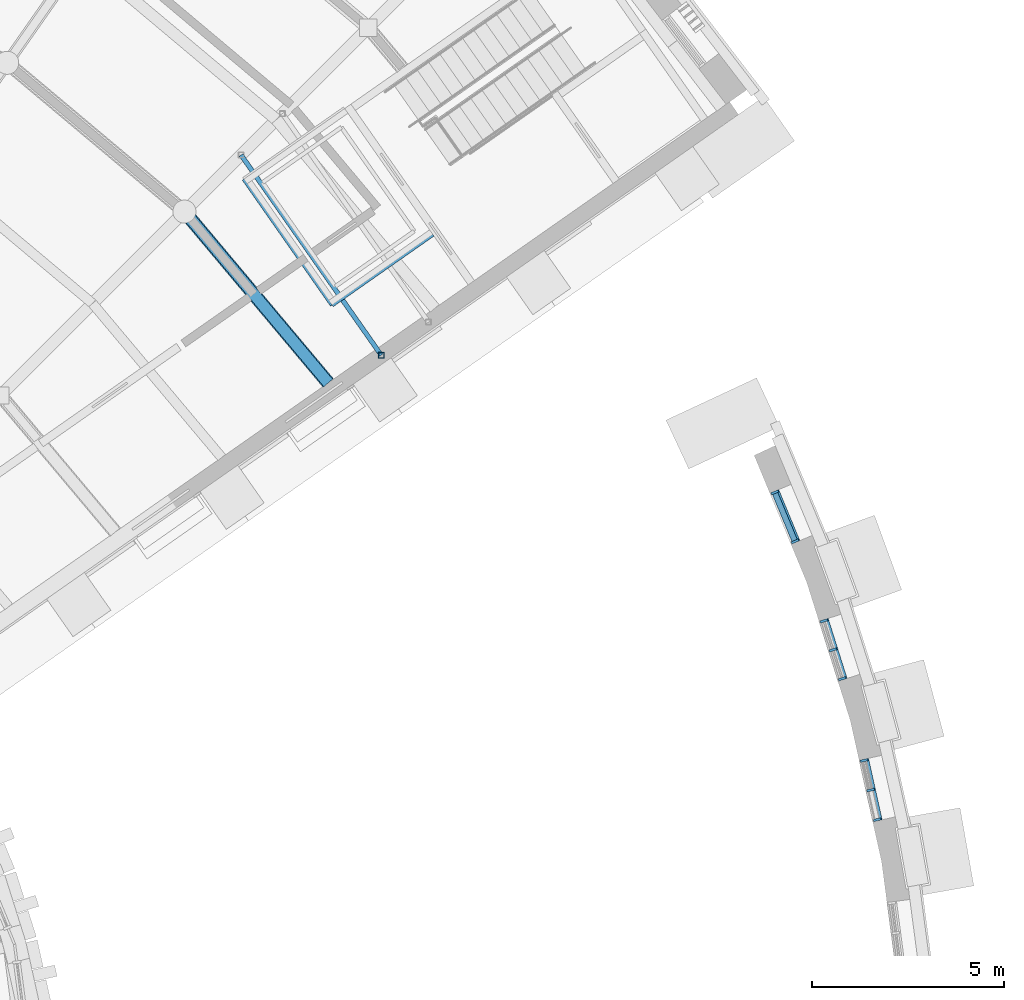
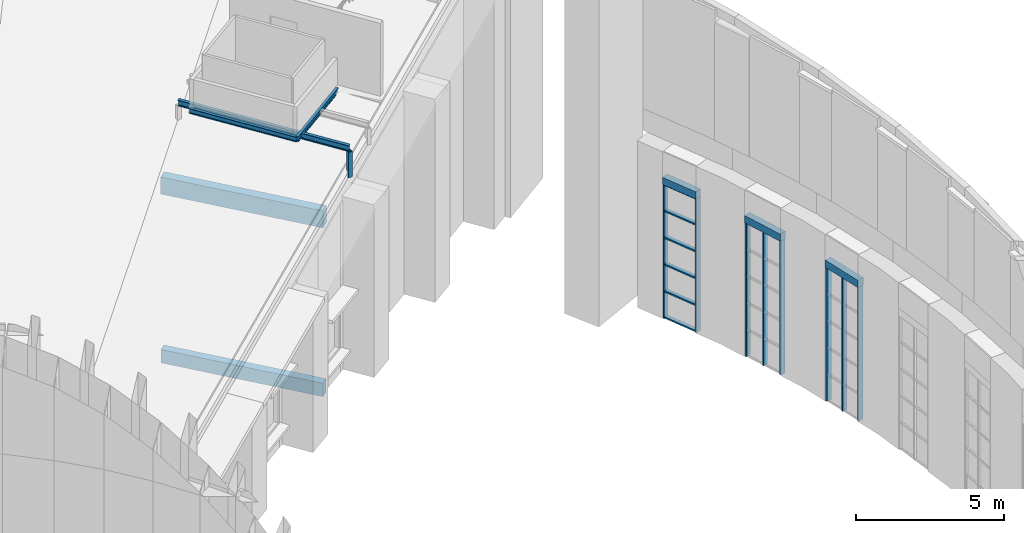
# One storey, part 21 of 82: 15 members, 8 beams, 3 elements without a shape of their own.
"""IFC4 building model written with IfcOpenShell, lengths in metres."""

import ifcopenshell
import ifcopenshell.guid

model = None  # the IFC model being written
_history = None  # IfcOwnerHistory: only IFC2X3 demands one
_inside = {}  # id of a spatial element -> (the spatial element, [elements in it])
_under = {}  # id of a project, library or spatial element -> (it, [spatial elements below it])
_declared = {}  # id of a project -> (the project, [libraries it declares])
_typed = {}  # id of a type object -> (the type object, [elements of that type])
_made_of = {}  # id of a material, layer set ... -> (it, [elements and type objects made of it])


def new_model(schema):
    """Start an empty IFC model of exactly this schema.

    Asked for "IFC4X3", IfcOpenShell would pick the latest addendum, in which some entities
    have other attributes; the version numbers below select the first issue.
    IFC2X3 requires an IfcOwnerHistory on every rooted entity: one is made here for all.
    """
    global model, _history
    if schema == "IFC4X3":
        model = ifcopenshell.file(schema_version=(4, 3, 0, 0))
    else:
        model = ifcopenshell.file(schema=schema)
    _inside.clear()
    _under.clear()
    _declared.clear()
    _typed.clear()
    _made_of.clear()
    _history = None
    if model.schema == "IFC2X3":
        org = make("IfcOrganization", Name="unknown")
        user = make(
            "IfcPersonAndOrganization",
            ThePerson=make("IfcPerson", FamilyName="unknown"),
            TheOrganization=org,
        )
        app = make(
            "IfcApplication",
            ApplicationDeveloper=org,
            Version="unknown",
            ApplicationFullName="unknown",
            ApplicationIdentifier="unknown",
        )
        _history = make(
            "IfcOwnerHistory",
            OwningUser=user,
            OwningApplication=app,
            ChangeAction="ADDED",
            CreationDate=0,
        )
    return model


def make(cls, **values):
    """One entity of the class cls with the attributes given. An attribute that is None is left unset."""
    return model.create_entity(
        cls, **{name: value for name, value in values.items() if value is not None}
    )


def rooted(cls, **values):
    """An entity with a GlobalId (a new one), such as an element, a storey or a relation."""
    return make(cls, GlobalId=ifcopenshell.guid.new(), OwnerHistory=_history, **values)


def si_unit(unit_type, name, prefix=None):
    """IfcSIUnit, for example si_unit("LENGTHUNIT", "METRE", prefix="MILLI")."""
    return make("IfcSIUnit", UnitType=unit_type, Prefix=prefix, Name=name)


def assignment(units):
    """IfcUnitAssignment: the units of a project."""
    return None if units is None else make("IfcUnitAssignment", Units=units)


def point(xyz):
    """IfcCartesianPoint."""
    return None if xyz is None else make("IfcCartesianPoint", Coordinates=xyz)


def direction(xyz):
    """IfcDirection."""
    return None if xyz is None else make("IfcDirection", DirectionRatios=xyz)


def frame(location, z_axis=None, x_axis=None):
    """IfcAxis2Placement3D, a coordinate frame: its origin and axes. An axis left out is left unset."""
    return make(
        "IfcAxis2Placement3D",
        Location=point(location),
        Axis=direction(z_axis),
        RefDirection=direction(x_axis),
    )


def frame_2d(location, x_axis=None):
    """IfcAxis2Placement2D, a coordinate frame in the plane: its origin and x axis."""
    return make(
        "IfcAxis2Placement2D", Location=point(location), RefDirection=direction(x_axis)
    )


def origin():
    """The frame at (0, 0, 0) with its axes left unset."""
    return frame((0.0, 0.0, 0.0))


def origin_2d():
    """The frame at (0, 0) in the plane with its x axis left unset."""
    return frame_2d((0.0, 0.0))


def place(relative_to, where):
    """IfcLocalPlacement: puts the frame where relative to a parent placement (None: the world)."""
    return make(
        "IfcLocalPlacement", PlacementRelTo=relative_to, RelativePlacement=where
    )


def context(
    kind, dimensions, precision=None, world=None, true_north=None, identifier=None
):
    """IfcGeometricRepresentationContext, for example the 3D "Model" context."""
    return make(
        "IfcGeometricRepresentationContext",
        ContextIdentifier=identifier,
        ContextType=kind,
        CoordinateSpaceDimension=dimensions,
        Precision=precision,
        WorldCoordinateSystem=world,
        TrueNorth=true_north,
    )


def subcontext(parent, identifier, kind, view, scale=None):
    """IfcGeometricRepresentationSubContext, for example "Body" below "Model"."""
    return make(
        "IfcGeometricRepresentationSubContext",
        ContextIdentifier=identifier,
        ContextType=kind,
        ParentContext=parent,
        TargetScale=scale,
        TargetView=view,
    )


def project(units=None, contexts=None):
    """IfcProject with its units and contexts."""
    return rooted(
        "IfcProject",
        Name="project",
        RepresentationContexts=contexts,
        UnitsInContext=assignment(units),
    )


def spatial(cls, under=None, at=None, **own):
    """A site, building, storey or space (cls), placed at a placement, below another one or the project."""
    s = rooted(cls, ObjectPlacement=at, **own)
    if under is not None:
        _under.setdefault(under.id(), (under, []))[1].append(s)
    return s


def profile(cls, at=None, kind="AREA", **sizes):
    """A parametric profile (cls). Its sizes go by their IFC names, for example OverallWidth=200.0."""
    return make(cls, ProfileType=kind, Position=at, **sizes)


def rectangle(**sizes):
    """IfcRectangleProfileDef."""
    return profile("IfcRectangleProfileDef", **sizes)


def hollow_rectangle(**sizes):
    """IfcRectangleHollowProfileDef."""
    return profile("IfcRectangleHollowProfileDef", **sizes)


def i_section(**sizes):
    """IfcIShapeProfileDef."""
    return profile("IfcIShapeProfileDef", **sizes)


def extrude(swept, where, along, depth):
    """IfcExtrudedAreaSolid: the profile swept, set in the frame where, extruded along a direction by depth."""
    return make(
        "IfcExtrudedAreaSolid",
        SweptArea=swept,
        Position=where,
        ExtrudedDirection=direction(along),
        Depth=depth,
    )


def shape(context_of_items, identifier, shape_type, items):
    """IfcShapeRepresentation: the items that make up one representation, for example the "Body"."""
    return make(
        "IfcShapeRepresentation",
        ContextOfItems=context_of_items,
        RepresentationIdentifier=identifier,
        RepresentationType=shape_type,
        Items=items,
    )


def material(Name=None, Category=None):
    """IfcMaterial."""
    return make("IfcMaterial", Name=Name, Category=Category)


def layer(
    of_material, thickness, ventilated=None, Name=None, Category=None, Priority=None
):
    """IfcMaterialLayer: one layer of a wall or slab, of a material (None: an air gap)."""
    return make(
        "IfcMaterialLayer",
        Material=of_material,
        LayerThickness=thickness,
        IsVentilated=ventilated,
        Name=Name,
        Category=Category,
        Priority=Priority,
    )


def layer_set(layers, Name=None):
    """IfcMaterialLayerSet."""
    return make("IfcMaterialLayerSet", MaterialLayers=layers, LayerSetName=Name)


def material_profile(
    of_material, cross_section, Name=None, Category=None, Priority=None
):
    """IfcMaterialProfile: a cross section and its material."""
    return make(
        "IfcMaterialProfile",
        Name=Name,
        Material=of_material,
        Profile=cross_section,
        Priority=Priority,
        Category=Category,
    )


def profile_set(profiles, Name=None, composite=None):
    """IfcMaterialProfileSet."""
    return make(
        "IfcMaterialProfileSet",
        Name=Name,
        MaterialProfiles=profiles,
        CompositeProfile=composite,
    )


def made_of(thing, what):
    """Note that an element or type object is made of a material, layer set ...; save() writes the relation."""
    if what is not None:
        _made_of.setdefault(what.id(), (what, []))[1].append(thing)
    return thing


def type_object(cls, material=None, **own):
    """A type object (cls), such as IfcWallType, which elements share."""
    return made_of(rooted(cls, **own), material)


def element(
    cls,
    number,
    at=None,
    inside=None,
    cuts=None,
    type_object=None,
    material=None,
    context=None,
    identifier="Body",
    shape_type=None,
    held_by="IfcProductDefinitionShape",
    body=None,
    shapes=None,
    **own,
):
    """One element of the class cls, such as IfcWall. Its Tag is "e" and its number.

    at: its placement. inside: the storey or other place that contains it. cuts: it is an
    opening in that element (IfcRelVoidsElement). A single representation is given by context,
    identifier, shape_type and body (its items); several are given by shapes. held_by: the class
    of the entity that holds the representations. save() writes the other relations.
    """
    e = rooted(cls, Tag="e%d" % number, ObjectPlacement=at, **own)
    if body is not None:
        shapes = [shape(context, identifier, shape_type, body)]
    if shapes is not None:
        e.Representation = make(held_by, Representations=shapes)
    if inside is not None:
        _inside.setdefault(inside.id(), (inside, []))[1].append(e)
    if cuts is not None:
        rooted(
            "IfcRelVoidsElement", RelatingBuildingElement=cuts, RelatedOpeningElement=e
        )
    if type_object is not None:
        _typed.setdefault(type_object.id(), (type_object, []))[1].append(e)
    return made_of(e, material)


def aggregate(whole, parts):
    """IfcRelAggregates: a whole, such as a stair, and the parts it consists of."""
    return rooted("IfcRelAggregates", RelatingObject=whole, RelatedObjects=parts)


def save(model, path):
    """Write the relations noted so far, then the file.

    IfcRelAggregates (storeys below a building ...), IfcRelContainedInSpatialStructure (elements
    in a storey), IfcRelDefinesByType, IfcRelAssociatesMaterial and IfcRelDeclares: one each for
    every whole, place, type object, material and project.
    """
    for whole, parts in _under.values():
        aggregate(whole, parts)
    for where, things in _inside.values():
        rooted(
            "IfcRelContainedInSpatialStructure",
            RelatedElements=things,
            RelatingStructure=where,
        )
    for kind, things in _typed.values():
        rooted("IfcRelDefinesByType", RelatedObjects=things, RelatingType=kind)
    for what, things in _made_of.values():
        rooted("IfcRelAssociatesMaterial", RelatedObjects=things, RelatingMaterial=what)
    for by, libraries in _declared.values():
        rooted("IfcRelDeclares", RelatingContext=by, RelatedDefinitions=libraries)
    model.write(path)


model = new_model("IFC4")

# Units and contexts
model_context = context("Model", 3, precision=1e-05, world=origin(), true_north=direction((0.0, 1.0)))
body_context = subcontext(model_context, "Body", "Model", "MODEL_VIEW")
ifc_project = project(units=[si_unit("LENGTHUNIT", "METRE"), si_unit("AREAUNIT", "SQUARE_METRE"), si_unit("VOLUMEUNIT", "CUBIC_METRE"), si_unit("PLANEANGLEUNIT", "RADIAN"), si_unit("MASSUNIT", "GRAM", prefix="KILO")], contexts=[model_context])

# Site, building, storey
site_placement = place(None, origin())
site = spatial("IfcSite", under=ifc_project, at=site_placement, CompositionType="ELEMENT")
building_placement = place(site_placement, origin())
building = spatial("IfcBuilding", under=site, at=building_placement, Name="Volute Hill Aquarium", CompositionType="ELEMENT")
storey_placement = place(building_placement, frame((0.0, 0.0, 13.800048828125)))
storey = spatial("IfcBuildingStorey", under=building, at=storey_placement, Name="L04", CompositionType="ELEMENT", Elevation=13.800048828125)

# Beams
ifc_material_1 = material(Name="Concrete C35/45", Category="concrete")
ifc_material_profile_1 = material_profile(ifc_material_1, rectangle(XDim=0.300048828125, YDim=0.550048828125, at=origin_2d()), Name="RC beam 300x550")
ifc_profile_set_1 = profile_set([ifc_material_profile_1], Name="Concrete C35/45")
beam_type_1 = type_object("IfcBeamType", Name="Beam 300x550 C35/45", PredefinedType="BEAM", material=ifc_profile_set_1)
beam_1_placement = place(storey_placement, frame((28.152099609375, 19.95654296875, -0.56494140625), z_axis=(-0.642785502321, 0.766046211404, 0.0), x_axis=(-0.766046211404, -0.642785502321, 0.0)))
element("IfcBeam", 1, at=beam_1_placement, inside=storey, type_object=beam_type_1, Name="bm/S5/L04/ring2.22", PredefinedType="BEAM", context=body_context, shape_type="SweptSolid", body=[
    extrude(rectangle(XDim=0.300048828125, YDim=0.550048828125, at=origin_2d()), origin(), (0.0, 0.0, 1.0), 5.8173828125),
])
ifc_material_2 = material(Name="Concrete C35/45", Category="concrete")
ifc_material_profile_2 = material_profile(ifc_material_2, rectangle(XDim=0.35009765625, YDim=0.699951171875, at=origin_2d()), Name="RC beam 350x700")
ifc_profile_set_2 = profile_set([ifc_material_profile_2], Name="Concrete C35/45")
beam_type_2 = type_object("IfcBeamType", Name="Beam 350x700 C35/45", PredefinedType="BEAM", material=ifc_profile_set_2)
beam_2_placement = place(storey_placement, frame((28.152099609375, 19.95654296875, 6.46875), z_axis=(-0.642785502321, 0.766046211404, 0.0), x_axis=(-0.766046211404, -0.642785502321, 0.0)))
element("IfcBeam", 2, at=beam_2_placement, inside=storey, type_object=beam_type_2, Name="rb/S5/L04/ring2.22", PredefinedType="BEAM", context=body_context, shape_type="SweptSolid", body=[
    extrude(rectangle(XDim=0.35009765625, YDim=0.699951171875, at=origin_2d()), origin(), (0.0, 0.0, 1.0), 5.8173828125),
])

# Curtain wall, members
ifc_material_3 = material(Name="Aluminium", Category="aluminium")
ifc_layer_1 = layer(ifc_material_3, 0.25)
ifc_layer_set_1 = layer_set([ifc_layer_1], Name="Curtain wall niche S4 module 819")
curtain_wall_type_1 = type_object("IfcCurtainWallType", Name="Curtain wall niche S4 module 819", PredefinedType="NOTDEFINED", material=ifc_layer_set_1)
curtain_wall_1_placement = place(storey_placement, origin())
curtain_wall_1 = element("IfcCurtainWall", 3, at=curtain_wall_1_placement, inside=storey, type_object=curtain_wall_type_1, Name="Curtain wall CW S4 L04 8", PredefinedType="NOTDEFINED")
ifc_material_4 = material(Name="Aluminium", Category="aluminium")
ifc_material_profile_3 = material_profile(ifc_material_4, rectangle(XDim=0.199951171875, YDim=0.06005859375, at=origin_2d()), Name="Curtain wall mullion S4 60x200")
ifc_profile_set_3 = profile_set([ifc_material_profile_3], Name="Aluminium")
member_type_1 = type_object("IfcMemberType", Name="Curtain wall mullion S4 60x200", PredefinedType="MULLION", material=ifc_profile_set_3)
member_1_placement = place(storey_placement, frame((42.42822265625, 8.59814453125, 0.0), z_axis=(0.0, 0.0, 1.0), x_axis=(-0.976296719673, -0.216436399795, 0.0)))
member_1 = element("IfcMember", 4, at=member_1_placement, type_object=member_type_1, Name="CW mullion 1", PredefinedType="MULLION", context=body_context, shape_type="SweptSolid", body=[
    extrude(rectangle(XDim=0.199951171875, YDim=0.06005859375, at=origin_2d()), origin(), (0.0, 0.0, 1.0), 5.51025390625),
])
member_2_placement = place(storey_placement, frame((42.257568359375, 9.3681640625, 0.0), z_axis=(0.0, 0.0, 1.0), x_axis=(-0.976296719673, -0.216436399795, 0.0)))
member_2 = element("IfcMember", 5, at=member_2_placement, type_object=member_type_1, Name="CW mullion 2", PredefinedType="MULLION", context=body_context, shape_type="SweptSolid", body=[
    extrude(rectangle(XDim=0.199951171875, YDim=0.06005859375, at=origin_2d()), origin(), (0.0, 0.0, 1.0), 5.51025390625),
])
member_3_placement = place(storey_placement, frame((42.0869140625, 10.13818359375, 0.0), z_axis=(0.0, 0.0, 1.0), x_axis=(-0.976296719673, -0.216436399795, 0.0)))
member_3 = element("IfcMember", 6, at=member_3_placement, type_object=member_type_1, Name="CW mullion 3", PredefinedType="MULLION", context=body_context, shape_type="SweptSolid", body=[
    extrude(rectangle(XDim=0.199951171875, YDim=0.06005859375, at=origin_2d()), origin(), (0.0, 0.0, 1.0), 5.51025390625),
])
aggregate(curtain_wall_1, [member_1, member_2, member_3])

curtain_wall_2_placement = place(storey_placement, origin())
curtain_wall_2 = element("IfcCurtainWall", 7, at=curtain_wall_2_placement, inside=storey, type_object=curtain_wall_type_1, Name="Curtain wall CW S4 L04 9", PredefinedType="NOTDEFINED")
member_4_placement = place(storey_placement, frame((41.517333984375, 12.263427734375, 0.0), z_axis=(0.0, 0.0, 1.0), x_axis=(-0.953715759869, -0.300709576466, 0.0)))
member_4 = element("IfcMember", 8, at=member_4_placement, type_object=member_type_1, Name="CW mullion 1", PredefinedType="MULLION", context=body_context, shape_type="SweptSolid", body=[
    extrude(rectangle(XDim=0.199951171875, YDim=0.06005859375, at=origin_2d()), origin(), (0.0, 0.0, 1.0), 5.51025390625),
])
member_5_placement = place(storey_placement, frame((41.2802734375, 13.015625, 0.0), z_axis=(0.0, 0.0, 1.0), x_axis=(-0.953715759869, -0.300709576466, 0.0)))
member_5 = element("IfcMember", 9, at=member_5_placement, type_object=member_type_1, Name="CW mullion 2", PredefinedType="MULLION", context=body_context, shape_type="SweptSolid", body=[
    extrude(rectangle(XDim=0.199951171875, YDim=0.06005859375, at=origin_2d()), origin(), (0.0, 0.0, 1.0), 5.51025390625),
])
member_6_placement = place(storey_placement, frame((41.04296875, 13.767822265625, 0.0), z_axis=(0.0, 0.0, 1.0), x_axis=(-0.953715759869, -0.300709576466, 0.0)))
member_6 = element("IfcMember", 10, at=member_6_placement, type_object=member_type_1, Name="CW mullion 3", PredefinedType="MULLION", context=body_context, shape_type="SweptSolid", body=[
    extrude(rectangle(XDim=0.199951171875, YDim=0.06005859375, at=origin_2d()), origin(), (0.0, 0.0, 1.0), 5.51025390625),
])
aggregate(curtain_wall_2, [member_4, member_5, member_6])

ifc_material_5 = material(Name="Aluminium", Category="aluminium")
ifc_layer_2 = layer(ifc_material_5, 0.25)
ifc_layer_set_2 = layer_set([ifc_layer_2], Name="Curtain wall niche S4 module 1437")
curtain_wall_type_2 = type_object("IfcCurtainWallType", Name="Curtain wall niche S4 module 1437", PredefinedType="NOTDEFINED", material=ifc_layer_set_2)
curtain_wall_3_placement = place(storey_placement, origin())
curtain_wall_3 = element("IfcCurtainWall", 11, at=curtain_wall_3_placement, inside=storey, type_object=curtain_wall_type_2, Name="Curtain wall CW S4 L04 10", PredefinedType="NOTDEFINED")
member_7_placement = place(storey_placement, frame((40.29052734375, 15.835205078125, 0.0), z_axis=(0.0, 0.0, 1.0), x_axis=(-0.923873852375, -0.38269714514, 0.0)))
member_7 = element("IfcMember", 12, at=member_7_placement, type_object=member_type_1, Name="CW mullion 1", PredefinedType="MULLION", context=body_context, shape_type="SweptSolid", body=[
    extrude(rectangle(XDim=0.199951171875, YDim=0.06005859375, at=origin_2d()), origin(), (0.0, 0.0, 1.0), 5.5126953125),
])
member_8_placement = place(storey_placement, frame((39.763427734375, 17.107666015625, 0.0), z_axis=(0.0, 0.0, 1.0), x_axis=(-0.923873852375, -0.38269714514, 0.0)))
member_8 = element("IfcMember", 13, at=member_8_placement, type_object=member_type_1, Name="CW mullion 2", PredefinedType="MULLION", context=body_context, shape_type="SweptSolid", body=[
    extrude(rectangle(XDim=0.199951171875, YDim=0.06005859375, at=origin_2d()), origin(), (0.0, 0.0, 1.0), 5.5126953125),
])
ifc_material_6 = material(Name="Aluminium", Category="aluminium")
ifc_material_profile_4 = material_profile(ifc_material_6, rectangle(XDim=0.14990234375, YDim=0.06005859375, at=origin_2d()), Name="Curtain wall transom S4 60x150")
ifc_profile_set_4 = profile_set([ifc_material_profile_4], Name="Aluminium")
member_type_2 = type_object("IfcMemberType", Name="Curtain wall transom S4 60x150", PredefinedType="USERDEFINED", material=ifc_profile_set_4)
member_9_placement = place(storey_placement, frame((40.279052734375, 15.86279296875, 0.030029296875), z_axis=(-0.3827064316, 0.923870005581, 0.0), x_axis=(-0.923870005581, -0.3827064316, 0.0)))
member_9 = element("IfcMember", 14, at=member_9_placement, type_object=member_type_2, Name="CW transom 1.1", ObjectType="TRANSOM", PredefinedType="USERDEFINED", context=body_context, shape_type="SweptSolid", body=[
    extrude(rectangle(XDim=0.14990234375, YDim=0.06005859375, at=origin_2d()), origin(), (0.0, 0.0, 1.0), 1.3173828125),
])
member_10_placement = place(storey_placement, frame((40.279052734375, 15.86279296875, 1.1025390625), z_axis=(-0.3827064316, 0.923870005581, 0.0), x_axis=(-0.923870005581, -0.3827064316, 0.0)))
member_10 = element("IfcMember", 15, at=member_10_placement, type_object=member_type_2, Name="CW transom 1.2", ObjectType="TRANSOM", PredefinedType="USERDEFINED", context=body_context, shape_type="SweptSolid", body=[
    extrude(rectangle(XDim=0.14990234375, YDim=0.06005859375, at=origin_2d()), origin(), (0.0, 0.0, 1.0), 1.3173828125),
])
member_11_placement = place(storey_placement, frame((40.279052734375, 15.86279296875, 2.205078125), z_axis=(-0.3827064316, 0.923870005581, 0.0), x_axis=(-0.923870005581, -0.3827064316, 0.0)))
member_11 = element("IfcMember", 16, at=member_11_placement, type_object=member_type_2, Name="CW transom 1.3", ObjectType="TRANSOM", PredefinedType="USERDEFINED", context=body_context, shape_type="SweptSolid", body=[
    extrude(rectangle(XDim=0.14990234375, YDim=0.06005859375, at=origin_2d()), origin(), (0.0, 0.0, 1.0), 1.3173828125),
])
member_12_placement = place(storey_placement, frame((40.279052734375, 15.86279296875, 3.3076171875), z_axis=(-0.3827064316, 0.923870005581, 0.0), x_axis=(-0.923870005581, -0.3827064316, 0.0)))
member_12 = element("IfcMember", 17, at=member_12_placement, type_object=member_type_2, Name="CW transom 1.4", ObjectType="TRANSOM", PredefinedType="USERDEFINED", context=body_context, shape_type="SweptSolid", body=[
    extrude(rectangle(XDim=0.14990234375, YDim=0.06005859375, at=origin_2d()), origin(), (0.0, 0.0, 1.0), 1.3173828125),
])
member_13_placement = place(storey_placement, frame((40.279052734375, 15.86279296875, 4.41015625), z_axis=(-0.3827064316, 0.923870005581, 0.0), x_axis=(-0.923870005581, -0.3827064316, 0.0)))
member_13 = element("IfcMember", 18, at=member_13_placement, type_object=member_type_2, Name="CW transom 1.5", ObjectType="TRANSOM", PredefinedType="USERDEFINED", context=body_context, shape_type="SweptSolid", body=[
    extrude(rectangle(XDim=0.14990234375, YDim=0.06005859375, at=origin_2d()), origin(), (0.0, 0.0, 1.0), 1.3173828125),
])
member_14_placement = place(storey_placement, frame((40.279052734375, 15.86279296875, 5.482666015625), z_axis=(-0.3827064316, 0.923870005581, 0.0), x_axis=(-0.923870005581, -0.3827064316, 0.0)))
member_14 = element("IfcMember", 19, at=member_14_placement, type_object=member_type_2, Name="CW transom 1.6", ObjectType="TRANSOM", PredefinedType="USERDEFINED", context=body_context, shape_type="SweptSolid", body=[
    extrude(rectangle(XDim=0.14990234375, YDim=0.06005859375, at=origin_2d()), origin(), (0.0, 0.0, 1.0), 1.3173828125),
])
aggregate(curtain_wall_3, [member_7, member_8, member_9, member_10, member_11, member_12, member_13, member_14])

# Beams
ifc_material_7 = material(Name="Concrete C35/45", Category="concrete")
ifc_material_profile_5 = material_profile(ifc_material_7, rectangle(XDim=0.25, YDim=0.300048828125, at=origin_2d()), Name="RC beam 250x300")
ifc_profile_set_5 = profile_set([ifc_material_profile_5], Name="Concrete C35/45")
beam_type_3 = type_object("IfcBeamType", Name="Niche head beam RC 250x300 C35/45", PredefinedType="BEAM", material=ifc_profile_set_5)
beam_3_placement = place(storey_placement, frame((42.434814453125, 8.56884765625, 5.660400390625), z_axis=(-0.216488407717, 0.97628518852, 0.0), x_axis=(-0.97628518852, -0.216488407717, 0.0)))
element("IfcBeam", 20, at=beam_3_placement, inside=storey, type_object=beam_type_3, Name="Niche head beam OWB S4 L04 8", PredefinedType="BEAM", context=body_context, shape_type="SweptSolid", body=[
    extrude(rectangle(XDim=0.25, YDim=0.300048828125, at=origin_2d()), origin(), (0.0, 0.0, 1.0), 1.637451171875),
])
beam_4_placement = place(storey_placement, frame((41.5263671875, 12.23486328125, 5.660400390625), z_axis=(-0.300753125362, 0.953702027672, 0.0), x_axis=(-0.953702027672, -0.300753125362, 0.0)))
element("IfcBeam", 21, at=beam_4_placement, inside=storey, type_object=beam_type_3, Name="Niche head beam OWB S4 L04 9", PredefinedType="BEAM", context=body_context, shape_type="SweptSolid", body=[
    extrude(rectangle(XDim=0.25, YDim=0.300048828125, at=origin_2d()), origin(), (0.0, 0.0, 1.0), 1.63720703125),
])
beam_5_placement = place(storey_placement, frame((40.302001953125, 15.807373046875, 5.66259765625), z_axis=(-0.382696833945, 0.923873981281, 0.0), x_axis=(-0.923873981281, -0.382696833945, 0.0)))
element("IfcBeam", 22, at=beam_5_placement, inside=storey, type_object=beam_type_3, Name="Niche head beam OWB S4 L04 10", PredefinedType="BEAM", context=body_context, shape_type="SweptSolid", body=[
    extrude(rectangle(XDim=0.25, YDim=0.300048828125, at=origin_2d()), origin(), (0.0, 0.0, 1.0), 1.437255859375),
])
ifc_material_8 = material(Name="Steel S355", Category="steel")
ifc_material_profile_6 = material_profile(ifc_material_8, i_section(OverallWidth=0.1201171875, OverallDepth=0.239990234375, WebThickness=0.006103515625, FlangeThickness=0.009765625, FilletRadius=0.014892578125, at=origin_2d()), Name="IPE 240")
ifc_profile_set_6 = profile_set([ifc_material_profile_6], Name="Steel S355")
beam_type_4 = type_object("IfcBeamType", Name="Plant platform beam IPE 240 S355", PredefinedType="BEAM", material=ifc_profile_set_6)
beam_6_placement = place(storey_placement, frame((29.530517578125, 20.677490234375, 8.3798828125), z_axis=(-0.573575756623, 0.819152520239, 0.0), x_axis=(-0.819152520239, -0.573575756623, 0.0)))
element("IfcBeam", 23, at=beam_6_placement, inside=storey, type_object=beam_type_4, Name="pf/S5/L04/beam1", PredefinedType="BEAM", context=body_context, shape_type="SweptSolid", body=[
    extrude(i_section(OverallWidth=0.1201171875, OverallDepth=0.239990234375, WebThickness=0.006103515625, FlangeThickness=0.009765625, FilletRadius=0.014892578125, at=origin_2d()), origin(), (0.0, 0.0, 1.0), 6.356689453125),
])
ifc_material_9 = material(Name="Steel S355", Category="steel")
ifc_material_profile_7 = material_profile(ifc_material_9, i_section(OverallWidth=0.10009765625, OverallDepth=0.199951171875, WebThickness=0.005615234375, FlangeThickness=0.008544921875, FilletRadius=0.011962890625, at=origin_2d()), Name="IPE 200")
ifc_profile_set_7 = profile_set([ifc_material_profile_7], Name="Steel S355")
beam_type_5 = type_object("IfcBeamType", Name="Plant platform edge beam IPE 200 S355", PredefinedType="BEAM", material=ifc_profile_set_7)
beam_7_placement = place(storey_placement, frame((28.252197265625, 21.979736328125, 8.39990234375), z_axis=(0.819156644649, 0.573569866301, 0.0), x_axis=(-0.573569866301, 0.819156644649, 0.0)))
element("IfcBeam", 24, at=beam_7_placement, inside=storey, type_object=beam_type_5, Name="pf/S5/L04/edge1", PredefinedType="BEAM", context=body_context, shape_type="SweptSolid", body=[
    extrude(i_section(OverallWidth=0.10009765625, OverallDepth=0.199951171875, WebThickness=0.005615234375, FlangeThickness=0.008544921875, FilletRadius=0.011962890625, at=origin_2d()), origin(), (0.0, 0.0, 1.0), 3.199951171875),
])
beam_8_placement = place(storey_placement, frame((28.252197265625, 21.979736328125, 8.39990234375), z_axis=(-0.573556557423, 0.819165963305, 0.0), x_axis=(-0.819165963305, -0.573556557423, 0.0)))
element("IfcBeam", 25, at=beam_8_placement, inside=storey, type_object=beam_type_5, Name="pf/S5/L04/edge3", PredefinedType="BEAM", context=body_context, shape_type="SweptSolid", body=[
    extrude(i_section(OverallWidth=0.10009765625, OverallDepth=0.199951171875, WebThickness=0.005615234375, FlangeThickness=0.008544921875, FilletRadius=0.011962890625, at=origin_2d()), origin(), (0.0, 0.0, 1.0), 4.0),
])

# Member
ifc_material_10 = material(Name="Steel S355", Category="steel")
ifc_material_profile_8 = material_profile(ifc_material_10, hollow_rectangle(XDim=0.14990234375, YDim=0.14990234375, WallThickness=0.010009765625, at=origin_2d()), Name="RHS 150x150x10")
ifc_profile_set_8 = profile_set([ifc_material_profile_8], Name="Steel S355")
member_type_3 = type_object("IfcMemberType", Name="Plant platform post RHS 150x150x10 S355", PredefinedType="POST", material=ifc_profile_set_8)
member_15_placement = place(storey_placement, frame((29.530517578125, 20.677490234375, 7.2109375), z_axis=(0.0, 0.0, 1.0), x_axis=(1.0, 0.0, 0.0)))
element("IfcMember", 26, at=member_15_placement, inside=storey, type_object=member_type_3, Name="pf/S5/L04/post11", PredefinedType="POST", context=body_context, shape_type="SweptSolid", body=[
    extrude(hollow_rectangle(XDim=0.14990234375, YDim=0.14990234375, WallThickness=0.010009765625, at=origin_2d()), origin(), (0.0, 0.0, 1.0), 1.049072265625),
])

save(model, "model.ifc")
